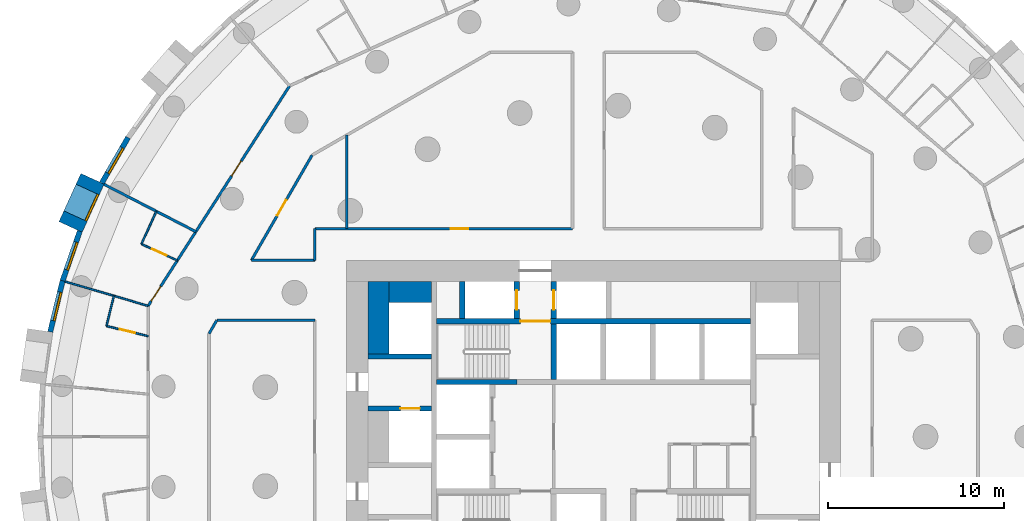
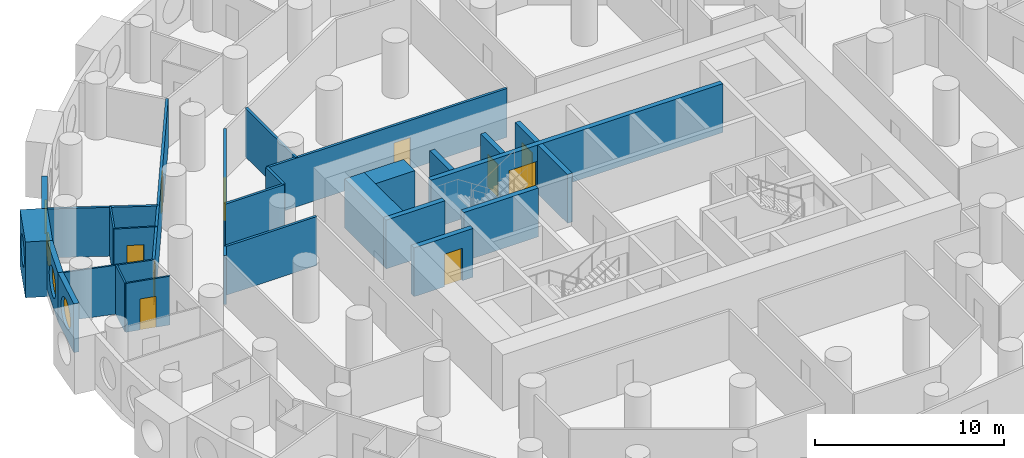
# One storey, part 7 of 12: 29 walls, 10 doors, 4 windows, 14 openings.
"""IFC4 building model written with IfcOpenShell, lengths in metres."""

from ifc_helpers import new_model, si_unit, direction, frame, frame_2d, origin, origin_2d, place, context, subcontext, project, spatial, rectangle, circle, extrude, material, layer, layer_set, type_object, element, fill, save


model = new_model("IFC4")

# Units and contexts
model_context = context("Model", 3, precision=1e-05, world=origin(), true_north=direction((0.0, 1.0)))
body_context = subcontext(model_context, "Body", "Model", "MODEL_VIEW")
ifc_project = project(units=[si_unit("LENGTHUNIT", "METRE"), si_unit("AREAUNIT", "SQUARE_METRE"), si_unit("VOLUMEUNIT", "CUBIC_METRE"), si_unit("PLANEANGLEUNIT", "RADIAN"), si_unit("MASSUNIT", "GRAM", prefix="KILO")], contexts=[model_context])

# Site, building, storey
site_placement = place(None, origin())
site = spatial("IfcSite", under=ifc_project, at=site_placement, CompositionType="ELEMENT")
building_placement = place(site_placement, origin())
building = spatial("IfcBuilding", under=site, at=building_placement, Name="Tracery Tower", CompositionType="ELEMENT")
storey_placement = place(building_placement, frame((0.0, 0.0, 107.39990234375)))
storey = spatial("IfcBuildingStorey", under=building, at=storey_placement, Name="L27", CompositionType="ELEMENT", Elevation=107.39990234375)

# Walls
ifc_material_1 = material(Name="Concrete C60/75", Category="concrete")
ifc_layer_1 = layer(ifc_material_1, 1.199951171875)
ifc_layer_set_1 = layer_set([ifc_layer_1], Name="Core strip wall 1200 C60")
wall_type_1 = type_object("IfcWallType", Name="Core strip wall 1200 C60", PredefinedType="SOLIDWALL", material=ifc_layer_set_1)
wall_1_placement = place(storey_placement, frame((-12.199951171875, 4.699951171875, 0.0), z_axis=(0.0, 0.0, 1.0), x_axis=(0.0, 1.0, 0.0)))
element("IfcWall", 1, at=wall_1_placement, inside=storey, type_object=wall_type_1, Name="L27 wing strip -1 4.55", PredefinedType="SOLIDWALL", context=body_context, shape_type="SweptSolid", body=[
    extrude(rectangle(XDim=4.10009765625, YDim=1.199951171875, at=frame_2d((2.050048828125, 0.0))), origin(), (0.0, 0.0, 1.0), 3.150146484375),
])
wall_2_placement = place(storey_placement, frame((-11.60009765625, 8.199951171875, 0.0), z_axis=(0.0, 0.0, 1.0), x_axis=(1.0, 0.0, 0.0)))
element("IfcWall", 2, at=wall_2_placement, inside=storey, type_object=wall_type_1, Name="L27 wing corner -1 +8.2", PredefinedType="SOLIDWALL", context=body_context, shape_type="SweptSolid", body=[
    extrude(rectangle(XDim=2.400146484375, YDim=1.199951171875, at=frame_2d((1.2001953125, 0.0))), origin(), (0.0, 0.0, 1.0), 3.150146484375),
])

# Wall, opening, window
ifc_material_2 = material(Name="Precast concrete C50/60", Category="concrete")
ifc_layer_2 = layer(ifc_material_2, 1.449951171875)
ifc_layer_set_2 = layer_set([ifc_layer_2], Name="Deep-set bay unit 3000 x 3600, slab edge 450")
wall_type_2 = type_object("IfcWallType", Name="Deep-set bay unit 3000 x 3600, slab edge 450", PredefinedType="ELEMENTEDWALL", material=ifc_layer_set_2)
wall_3_placement = place(storey_placement, frame((-28.40673828125, 14.6220703125, -0.449951171875), z_axis=(0.0, 0.0, 1.0), x_axis=(-0.415427028395, -0.909626508012, 0.0)))
wall_3 = element("IfcWall", 3, at=wall_3_placement, inside=storey, type_object=wall_type_2, Name="Deep-set bay unit 29 at L27", PredefinedType="ELEMENTEDWALL", context=body_context, shape_type="SweptSolid", body=[
    extrude(rectangle(XDim=3.000244140625, YDim=1.449951171875, at=frame_2d((1.5, 0.0))), origin(), (0.0, 0.0, 1.0), 3.60009765625),
])
opening_1_placement = place(wall_3_placement, frame((1.5, 0.0, 2.0)))
opening_1 = element("IfcOpeningElement", 4, at=opening_1_placement, cuts=wall_3, Name="Opening WN1", PredefinedType="OPENING", context=body_context, shape_type="SweptSolid", body=[
    extrude(circle(Radius=0.9000244140625, at=origin_2d()), frame((0.0, 0.73486328125, 0.0), z_axis=(0.0, -1.0, 0.0), x_axis=(1.0, 0.0, 0.0)), (0.0, 0.0, 1.0), 1.469970703125),
])
ifc_material_3 = material(Name="Aluminium frame with tinted double glazing", Category="aluminium")
window_type = type_object("IfcWindowType", Name="Round window 1800", PartitioningType="SINGLE_PANEL", PredefinedType="WINDOW", material=ifc_material_3)
window_1_placement = place(opening_1_placement, origin())
window_1 = element("IfcWindow", 5, at=window_1_placement, inside=storey, type_object=window_type, Name="Round window 29 at L27", OverallHeight=1.800048828125, OverallWidth=1.800048828125, PartitioningType="SINGLE_PANEL", PredefinedType="WINDOW", context=body_context, shape_type="SweptSolid", body=[
    extrude(circle(Radius=0.9000244140625, at=origin_2d()), frame((0.0, 0.69482421875, 0.0), z_axis=(0.0, -1.0, 0.0), x_axis=(1.0, 0.0, 0.0)), (0.0, 0.0, 1.0), 0.10009765625),
])
fill(opening_1, window_1)

ifc_material_4 = material(Name="Precast concrete C50/60", Category="concrete")
ifc_layer_3 = layer(ifc_material_4, 0.300048828125)
ifc_layer_set_3 = layer_set([ifc_layer_3], Name="Facade panel 3000 x 3150")
wall_type_3 = type_object("IfcWallType", Name="Facade panel 3000 x 3150", PredefinedType="SOLIDWALL", material=ifc_layer_set_3)
wall_4_placement = place(storey_placement, frame((-26.393798828125, 16.96240234375, 0.0), z_axis=(0.0, 0.0, 1.0), x_axis=(-0.500025049464, -0.866010940986, 0.0)))
wall_4 = element("IfcWall", 6, at=wall_4_placement, inside=storey, type_object=wall_type_3, Name="Facade panel 28 at L27", PredefinedType="SOLIDWALL", context=body_context, shape_type="SweptSolid", body=[
    extrude(rectangle(XDim=2.979736328125, YDim=0.300048828125, at=frame_2d((1.48974609375, 0.0))), origin(), (0.0, 0.0, 1.0), 3.150146484375),
])
opening_2_placement = place(wall_4_placement, frame((1.48974609375, 0.0, 1.5498046875)))
opening_2 = element("IfcOpeningElement", 7, at=opening_2_placement, cuts=wall_4, Name="Opening WN1", PredefinedType="OPENING", context=body_context, shape_type="SweptSolid", body=[
    extrude(circle(Radius=0.9000244140625, at=origin_2d()), frame((0.0, 0.159912109375, 0.0), z_axis=(0.0, -1.0, 0.0), x_axis=(1.0, 0.0, 0.0)), (0.0, 0.0, 1.0), 0.320068359375),
])
window_2_placement = place(opening_2_placement, origin())
window_2 = element("IfcWindow", 8, at=window_2_placement, inside=storey, type_object=window_type, Name="Round window 28 at L27", OverallHeight=1.800048828125, OverallWidth=1.800048828125, PartitioningType="SINGLE_PANEL", PredefinedType="WINDOW", context=body_context, shape_type="SweptSolid", body=[
    extrude(circle(Radius=0.9000244140625, at=origin_2d()), frame((0.0, 0.1201171875, 0.0), z_axis=(0.0, -1.0, 0.0), x_axis=(1.0, 0.0, 0.0)), (0.0, 0.0, 1.0), 0.10009765625),
])
fill(opening_2, window_2)

wall_5_placement = place(storey_placement, frame((-29.12890625, 11.655029296875, 0.0), z_axis=(0.0, 0.0, 1.0), x_axis=(-0.327071167136, -0.944999709856, 0.0)))
wall_5 = element("IfcWall", 9, at=wall_5_placement, inside=storey, type_object=wall_type_3, Name="Facade panel 30 at L27", PredefinedType="SOLIDWALL", context=body_context, shape_type="SweptSolid", body=[
    extrude(rectangle(XDim=2.979736328125, YDim=0.300048828125, at=frame_2d((1.48974609375, 0.0))), origin(), (0.0, 0.0, 1.0), 3.150146484375),
])
opening_3_placement = place(wall_5_placement, frame((1.48974609375, 0.0, 1.5498046875)))
opening_3 = element("IfcOpeningElement", 10, at=opening_3_placement, cuts=wall_5, Name="Opening WN1", PredefinedType="OPENING", context=body_context, shape_type="SweptSolid", body=[
    extrude(circle(Radius=0.9000244140625, at=origin_2d()), frame((0.0, 0.159912109375, 0.0), z_axis=(0.0, -1.0, 0.0), x_axis=(1.0, 0.0, 0.0)), (0.0, 0.0, 1.0), 0.320068359375),
])
window_3_placement = place(opening_3_placement, origin())
window_3 = element("IfcWindow", 11, at=window_3_placement, inside=storey, type_object=window_type, Name="Round window 30 at L27", OverallHeight=1.800048828125, OverallWidth=1.800048828125, PartitioningType="SINGLE_PANEL", PredefinedType="WINDOW", context=body_context, shape_type="SweptSolid", body=[
    extrude(circle(Radius=0.9000244140625, at=origin_2d()), frame((0.0, 0.1201171875, 0.0), z_axis=(0.0, -1.0, 0.0), x_axis=(1.0, 0.0, 0.0)), (0.0, 0.0, 1.0), 0.10009765625),
])
fill(opening_3, window_3)

wall_6_placement = place(storey_placement, frame((-30.103515625, 8.839111328125, 0.0), z_axis=(0.0, 0.0, 1.0), x_axis=(-0.235743081534, -0.971815414319, 0.0)))
wall_6 = element("IfcWall", 12, at=wall_6_placement, inside=storey, type_object=wall_type_3, Name="Facade panel 31 at L27", PredefinedType="SOLIDWALL", context=body_context, shape_type="SweptSolid", body=[
    extrude(rectangle(XDim=2.9794921875, YDim=0.300048828125, at=frame_2d((1.48974609375, 0.0))), origin(), (0.0, 0.0, 1.0), 3.150146484375),
])
opening_4_placement = place(wall_6_placement, frame((1.48974609375, 0.0, 1.5498046875)))
opening_4 = element("IfcOpeningElement", 13, at=opening_4_placement, cuts=wall_6, Name="Opening WN1", PredefinedType="OPENING", context=body_context, shape_type="SweptSolid", body=[
    extrude(circle(Radius=0.9000244140625, at=origin_2d()), frame((0.0, 0.159912109375, 0.0), z_axis=(0.0, -1.0, 0.0), x_axis=(1.0, 0.0, 0.0)), (0.0, 0.0, 1.0), 0.320068359375),
])
window_4_placement = place(opening_4_placement, origin())
window_4 = element("IfcWindow", 14, at=window_4_placement, inside=storey, type_object=window_type, Name="Round window 31 at L27", OverallHeight=1.800048828125, OverallWidth=1.800048828125, PartitioningType="SINGLE_PANEL", PredefinedType="WINDOW", context=body_context, shape_type="SweptSolid", body=[
    extrude(circle(Radius=0.9000244140625, at=origin_2d()), frame((0.0, 0.1201171875, 0.0), z_axis=(0.0, -1.0, 0.0), x_axis=(1.0, 0.0, 0.0)), (0.0, 0.0, 1.0), 0.10009765625),
])
fill(opening_4, window_4)

# Walls
ifc_material_5 = material(Name="Plasterboard on steel studs", Category="steel")
ifc_layer_4 = layer(ifc_material_5, 0.10009765625)
ifc_layer_set_4 = layer_set([ifc_layer_4], Name="Partition 100 stud")
wall_type_4 = type_object("IfcWallType", Name="Partition 100 stud", PredefinedType="PARTITIONING", material=ifc_layer_set_4)
wall_7_placement = place(storey_placement, frame((-29.958984375, 8.797119140625, 0.0), z_axis=(0.0, 0.0, 1.0), x_axis=(0.959434394536, -0.281931982189, 0.0)))
element("IfcWall", 15, at=wall_7_placement, inside=storey, type_object=wall_type_4, Name="Stud partition RA8-098", PredefinedType="PARTITIONING", context=body_context, shape_type="SweptSolid", body=[
    extrude(rectangle(XDim=2.876708984375, YDim=0.10009765625, at=frame_2d((1.4384765625, 0.0))), origin(), (0.0, 0.0, 1.0), 3.150146484375),
])
ifc_material_6 = material(Name="Plasterboard on steel studs", Category="steel")
ifc_layer_5 = layer(ifc_material_6, 0.10009765625)
ifc_layer_set_5 = layer_set([ifc_layer_5], Name="Partition 100 wet wall")
wall_type_5 = type_object("IfcWallType", Name="Partition 100 wet wall", PredefinedType="PARTITIONING", material=ifc_layer_set_5)
wall_8_placement = place(storey_placement, frame((-27.614990234375, 6.27294921875, 0.0), z_axis=(0.0, 0.0, 1.0), x_axis=(0.23598051436, 0.971757787127, 0.0)))
element("IfcWall", 16, at=wall_8_placement, inside=storey, type_object=wall_type_5, Name="Wet wall RA8-096", PredefinedType="PARTITIONING", context=body_context, shape_type="SweptSolid", body=[
    extrude(rectangle(XDim=1.762939453125, YDim=0.10009765625, at=frame_2d((0.88134765625, 0.0))), origin(), (0.0, 0.0, 1.0), 3.150146484375),
])

# Wall, opening, door
wall_9_placement = place(storey_placement, frame((-27.614990234375, 6.27294921875, 0.0), z_axis=(0.0, 0.0, 1.0), x_axis=(0.971814550876, -0.235746640921, 0.0)))
wall_9 = element("IfcWall", 17, at=wall_9_placement, inside=storey, type_object=wall_type_5, Name="Wet wall RA8-097", PredefinedType="PARTITIONING", context=body_context, shape_type="SweptSolid", body=[
    extrude(rectangle(XDim=2.4306640625, YDim=0.10009765625, at=frame_2d((1.21533203125, 0.0))), origin(), (0.0, 0.0, 1.0), 3.150146484375),
])
opening_5_placement = place(wall_9_placement, frame((0.764892578125, 0.0, 0.0)))
opening_5 = element("IfcOpeningElement", 18, at=opening_5_placement, cuts=wall_9, Name="Opening RA8-35", PredefinedType="OPENING", context=body_context, shape_type="SweptSolid", body=[
    extrude(rectangle(XDim=0.89990234375, YDim=2.0, at=frame_2d((0.449951171875, 1.0))), frame((0.0, 0.050048828125, 0.0), z_axis=(0.0, -1.0, 0.0), x_axis=(1.0, 0.0, 0.0)), (0.0, 0.0, 1.0), 0.10009765625),
])
ifc_material_7 = material(Name="Timber door leaf", Category="wood")
door_type_1 = type_object("IfcDoorType", Name="Door shower room 900", OperationType="NOTDEFINED", PredefinedType="DOOR", material=ifc_material_7)
door_1_placement = place(opening_5_placement, origin())
door_1 = element("IfcDoor", 19, at=door_1_placement, inside=storey, type_object=door_type_1, Name="Shower room door RA8-35", OperationType="SINGLE_SWING_LEFT", OverallHeight=2.0, OverallWidth=0.89990234375, PredefinedType="DOOR", context=body_context, shape_type="SweptSolid", body=[
    extrude(rectangle(XDim=0.89990234375, YDim=2.0, at=frame_2d((0.449951171875, 1.0))), frame((0.0, 0.02490234375, 0.0), z_axis=(0.0, -1.0, 0.0), x_axis=(1.0, 0.0, 0.0)), (0.0, 0.0, 1.0), 0.050048828125),
])
fill(opening_5, door_1)

# Walls
wall_10_placement = place(storey_placement, frame((-27.198974609375, 7.986083984375, 0.0), z_axis=(0.0, 0.0, 1.0), x_axis=(0.959541665722, -0.281566673708, 0.0)))
element("IfcWall", 20, at=wall_10_placement, inside=storey, type_object=wall_type_5, Name="Wet wall RA8-100", PredefinedType="PARTITIONING", context=body_context, shape_type="SweptSolid", body=[
    extrude(rectangle(XDim=2.028076171875, YDim=0.10009765625, at=frame_2d((1.01416015625, 0.0))), origin(), (0.0, 0.0, 1.0), 3.150146484375),
])
wall_11_placement = place(storey_placement, frame((-25.635986328125, 10.922119140625, 0.0), z_axis=(0.0, 0.0, 1.0), x_axis=(0.415361197493, 0.90965657015, 0.0)))
element("IfcWall", 21, at=wall_11_placement, inside=storey, type_object=wall_type_5, Name="Wet wall RA8-101", PredefinedType="PARTITIONING", context=body_context, shape_type="SweptSolid", body=[
    extrude(rectangle(XDim=2.041259765625, YDim=0.10009765625, at=frame_2d((1.0205078125, 0.0))), origin(), (0.0, 0.0, 1.0), 3.150146484375),
])

# Wall, opening, door
wall_12_placement = place(storey_placement, frame((-25.635986328125, 10.922119140625, 0.0), z_axis=(0.0, 0.0, 1.0), x_axis=(0.909641485443, -0.415394231978, 0.0)))
wall_12 = element("IfcWall", 22, at=wall_12_placement, inside=storey, type_object=wall_type_5, Name="Wet wall RA8-102", PredefinedType="PARTITIONING", context=body_context, shape_type="SweptSolid", body=[
    extrude(rectangle(XDim=2.24169921875, YDim=0.10009765625, at=frame_2d((1.120849609375, 0.0))), origin(), (0.0, 0.0, 1.0), 3.150146484375),
])
opening_6_placement = place(wall_12_placement, frame((0.6708984375, 0.0, 0.0)))
opening_6 = element("IfcOpeningElement", 23, at=opening_6_placement, cuts=wall_12, Name="Opening RA8-37", PredefinedType="OPENING", context=body_context, shape_type="SweptSolid", body=[
    extrude(rectangle(XDim=0.89990234375, YDim=2.0400390625, at=frame_2d((0.449951171875, 1.02001953125))), frame((0.0, 0.050048828125, 0.0), z_axis=(0.0, -1.0, 0.0), x_axis=(1.0, 0.0, 0.0)), (0.0, 0.0, 1.0), 0.10009765625),
])
ifc_material_8 = material(Name="Timber door leaf", Category="wood")
door_type_2 = type_object("IfcDoorType", Name="Door en-suite 900", OperationType="NOTDEFINED", PredefinedType="DOOR", material=ifc_material_8)
door_2_placement = place(opening_6_placement, origin())
door_2 = element("IfcDoor", 24, at=door_2_placement, inside=storey, type_object=door_type_2, Name="En-suite door RA8-37", OperationType="SINGLE_SWING_RIGHT", OverallHeight=2.0400390625, OverallWidth=0.89990234375, PredefinedType="DOOR", context=body_context, shape_type="SweptSolid", body=[
    extrude(rectangle(XDim=0.89990234375, YDim=2.0400390625, at=frame_2d((0.449951171875, 1.02001953125))), frame((0.0, 0.02490234375, 0.0), z_axis=(0.0, -1.0, 0.0), x_axis=(1.0, 0.0, 0.0)), (0.0, 0.0, 1.0), 0.050048828125),
])
fill(opening_6, door_2)

# Walls
ifc_material_9 = material(Name="Plasterboard on steel studs", Category="steel")
ifc_layer_6 = layer(ifc_material_9, 0.14990234375)
ifc_layer_set_6 = layer_set([ifc_layer_6], Name="Partition 150 acoustic unit wall")
wall_type_6 = type_object("IfcWallType", Name="Partition 150 acoustic unit wall", PredefinedType="PARTITIONING", material=ifc_layer_set_6)
wall_13_placement = place(storey_placement, frame((-14.0, 11.800048828125, 0.0), z_axis=(0.0, 0.0, 1.0), x_axis=(0.0, 1.0, 0.0)))
element("IfcWall", 25, at=wall_13_placement, inside=storey, type_object=wall_type_6, Name="Unit wall RA8-059", PredefinedType="PARTITIONING", context=body_context, shape_type="SweptSolid", body=[
    extrude(rectangle(XDim=5.2919921875, YDim=0.14990234375, at=frame_2d((2.64599609375, 0.0))), origin(), (0.0, 0.0, 1.0), 3.150146484375),
])
wall_14_placement = place(storey_placement, frame((-27.7529296875, 14.30810546875, 0.0), z_axis=(0.0, 0.0, 1.0), x_axis=(0.88877955153, -0.45833493079, 0.0)))
element("IfcWall", 26, at=wall_14_placement, inside=storey, type_object=wall_type_6, Name="Unit wall RA8-094", PredefinedType="PARTITIONING", context=body_context, shape_type="SweptSolid", body=[
    extrude(rectangle(XDim=5.856201171875, YDim=0.14990234375, at=frame_2d((2.92822265625, 0.0))), origin(), (0.0, 0.0, 1.0), 3.150146484375),
])

# Wall, opening, door
ifc_material_10 = material(Name="Plasterboard on steel studs", Category="steel")
ifc_layer_7 = layer(ifc_material_10, 0.14990234375)
ifc_layer_set_7 = layer_set([ifc_layer_7], Name="Partition 150 corridor wall")
wall_type_7 = type_object("IfcWallType", Name="Partition 150 corridor wall", PredefinedType="PARTITIONING", material=ifc_layer_set_7)
wall_15_placement = place(storey_placement, frame((-15.800048828125, 11.800048828125, 0.0), z_axis=(0.0, 0.0, 1.0), x_axis=(1.0, 0.0, 0.0)))
wall_15 = element("IfcWall", 27, at=wall_15_placement, inside=storey, type_object=wall_type_7, Name="Corridor wall RA8-001", PredefinedType="PARTITIONING", context=body_context, shape_type="SweptSolid", body=[
    extrude(rectangle(XDim=14.612060546875, YDim=0.14990234375, at=frame_2d((7.30615234375, 0.0))), origin(), (0.0, 0.0, 1.0), 3.150146484375),
])
opening_7_placement = place(wall_15_placement, frame((7.7041015625, 0.0, 0.0)))
opening_7 = element("IfcOpeningElement", 28, at=opening_7_placement, cuts=wall_15, Name="Opening RA8-01", PredefinedType="OPENING", context=body_context, shape_type="SweptSolid", body=[
    extrude(rectangle(XDim=1.0, YDim=2.0400390625, at=frame_2d((0.5, 1.02001953125))), frame((0.0, 0.074951171875, 0.0), z_axis=(0.0, -1.0, 0.0), x_axis=(1.0, 0.0, 0.0)), (0.0, 0.0, 1.0), 0.14990234375),
])
ifc_material_11 = material(Name="Timber door leaf", Category="wood")
door_type_3 = type_object("IfcDoorType", Name="Door communal room 1000", OperationType="NOTDEFINED", PredefinedType="DOOR", material=ifc_material_11)
door_3_placement = place(opening_7_placement, origin())
door_3 = element("IfcDoor", 29, at=door_3_placement, inside=storey, type_object=door_type_3, Name="Communal room door RA8-01", OperationType="SINGLE_SWING_RIGHT", OverallHeight=2.0400390625, OverallWidth=1.0, PredefinedType="DOOR", context=body_context, shape_type="SweptSolid", body=[
    extrude(rectangle(XDim=1.0, YDim=2.0400390625, at=frame_2d((0.5, 1.02001953125))), frame((0.0, 0.02490234375, 0.0), z_axis=(0.0, -1.0, 0.0), x_axis=(1.0, 0.0, 0.0)), (0.0, 0.0, 1.0), 0.050048828125),
])
fill(opening_7, door_3)

# Wall
wall_16_placement = place(storey_placement, frame((-15.800048828125, 10.0, 0.0), z_axis=(0.0, 0.0, 1.0), x_axis=(0.0, 1.0, 0.0)))
element("IfcWall", 30, at=wall_16_placement, inside=storey, type_object=wall_type_7, Name="Corridor wall RA8-005", PredefinedType="PARTITIONING", context=body_context, shape_type="SweptSolid", body=[
    extrude(rectangle(XDim=1.800048828125, YDim=0.14990234375, at=frame_2d((0.89990234375, 0.0))), origin(), (0.0, 0.0, 1.0), 3.150146484375),
])

# Wall, openings, doors
wall_17_placement = place(storey_placement, frame((-25.2548828125, 7.416259765625, 0.0), z_axis=(0.0, 0.0, 1.0), x_axis=(0.540805851332, 0.841147449123, 0.0)))
wall_17 = element("IfcWall", 31, at=wall_17_placement, inside=storey, type_object=wall_type_7, Name="Corridor wall RA8-036", PredefinedType="PARTITIONING", context=body_context, shape_type="SweptSolid", body=[
    extrude(rectangle(XDim=14.829345703125, YDim=0.14990234375, at=frame_2d((7.41455078125, 0.0))), origin(), (0.0, 0.0, 1.0), 3.150146484375),
])
opening_8_placement = place(wall_17_placement, frame((8.75390625, 0.0, 0.0)))
opening_8 = element("IfcOpeningElement", 32, at=opening_8_placement, cuts=wall_17, Name="Opening RA8-32", PredefinedType="OPENING", context=body_context, shape_type="SweptSolid", body=[
    extrude(rectangle(XDim=1.0, YDim=2.0400390625, at=frame_2d((0.5, 1.02001953125))), frame((0.0, 0.074951171875, 0.0), z_axis=(0.0, -1.0, 0.0), x_axis=(1.0, 0.0, 0.0)), (0.0, 0.0, 1.0), 0.14990234375),
])
opening_9_placement = place(wall_17_placement, frame((0.31591796875, 0.0, 0.0)))
opening_9 = element("IfcOpeningElement", 33, at=opening_9_placement, cuts=wall_17, Name="Opening RA8-36", PredefinedType="OPENING", context=body_context, shape_type="SweptSolid", body=[
    extrude(rectangle(XDim=1.0, YDim=2.10009765625, at=frame_2d((0.5, 1.050048828125))), frame((0.0, 0.074951171875, 0.0), z_axis=(0.0, -1.0, 0.0), x_axis=(1.0, 0.0, 0.0)), (0.0, 0.0, 1.0), 0.14990234375),
])
door_4_placement = place(opening_8_placement, origin())
door_4 = element("IfcDoor", 34, at=door_4_placement, inside=storey, type_object=door_type_3, Name="Communal room door RA8-32", OperationType="SINGLE_SWING_RIGHT", OverallHeight=2.0400390625, OverallWidth=1.0, PredefinedType="DOOR", context=body_context, shape_type="SweptSolid", body=[
    extrude(rectangle(XDim=1.0, YDim=2.0400390625, at=frame_2d((0.5, 1.02001953125))), frame((0.0, 0.02490234375, 0.0), z_axis=(0.0, -1.0, 0.0), x_axis=(1.0, 0.0, 0.0)), (0.0, 0.0, 1.0), 0.050048828125),
])
fill(opening_8, door_4)
ifc_material_12 = material(Name="Timber door leaf", Category="wood")
door_type_4 = type_object("IfcDoorType", Name="Door unit entrance 1000", OperationType="NOTDEFINED", PredefinedType="DOOR", material=ifc_material_12)
door_5_placement = place(opening_9_placement, origin())
door_5 = element("IfcDoor", 35, at=door_5_placement, inside=storey, type_object=door_type_4, Name="Unit entrance door RA8-36", OperationType="SINGLE_SWING_LEFT", OverallHeight=2.10009765625, OverallWidth=1.0, PredefinedType="DOOR", context=body_context, shape_type="SweptSolid", body=[
    extrude(rectangle(XDim=1.0, YDim=2.10009765625, at=frame_2d((0.5, 1.050048828125))), frame((0.0, 0.02490234375, 0.0), z_axis=(0.0, -1.0, 0.0), x_axis=(1.0, 0.0, 0.0)), (0.0, 0.0, 1.0), 0.050048828125),
])
fill(opening_9, door_5)

# Walls
wall_18_placement = place(storey_placement, frame((-21.364013671875, 6.60009765625, 0.0), z_axis=(0.0, 0.0, 1.0), x_axis=(1.0, 0.0, 0.0)))
element("IfcWall", 36, at=wall_18_placement, inside=storey, type_object=wall_type_7, Name="Corridor wall RA8-038", PredefinedType="PARTITIONING", context=body_context, shape_type="SweptSolid", body=[
    extrude(rectangle(XDim=5.56396484375, YDim=0.14990234375, at=frame_2d((2.781982421875, 0.0))), origin(), (0.0, 0.0, 1.0), 3.150146484375),
])
wall_19_placement = place(storey_placement, frame((-21.802001953125, 5.842041015625, 0.0), z_axis=(0.0, 0.0, 1.0), x_axis=(0.500277597875, 0.865865073245, 0.0)))
element("IfcWall", 37, at=wall_19_placement, inside=storey, type_object=wall_type_7, Name="Corridor wall RA8-039", PredefinedType="PARTITIONING", context=body_context, shape_type="SweptSolid", body=[
    extrude(rectangle(XDim=0.87548828125, YDim=0.14990234375, at=frame_2d((0.437744140625, 0.0))), origin(), (0.0, 0.0, 1.0), 3.150146484375),
])

# Wall, opening, door
wall_20_placement = place(storey_placement, frame((-19.40087890625, 10.0, 0.0), z_axis=(0.0, 0.0, 1.0), x_axis=(0.499992689227, 0.86602962462, 0.0)))
wall_20 = element("IfcWall", 38, at=wall_20_placement, inside=storey, type_object=wall_type_7, Name="Corridor wall RA8-043", PredefinedType="PARTITIONING", context=body_context, shape_type="SweptSolid", body=[
    extrude(rectangle(XDim=6.8818359375, YDim=0.14990234375, at=frame_2d((3.44091796875, 0.0))), origin(), (0.0, 0.0, 1.0), 3.150146484375),
])
opening_10_placement = place(wall_20_placement, frame((2.94091796875, 0.0, 0.0)))
opening_10 = element("IfcOpeningElement", 39, at=opening_10_placement, cuts=wall_20, Name="Opening RA8-09", PredefinedType="OPENING", context=body_context, shape_type="SweptSolid", body=[
    extrude(rectangle(XDim=1.0, YDim=2.0400390625, at=frame_2d((0.5, 1.02001953125))), frame((0.0, 0.074951171875, 0.0), z_axis=(0.0, -1.0, 0.0), x_axis=(1.0, 0.0, 0.0)), (0.0, 0.0, 1.0), 0.14990234375),
])
door_6_placement = place(opening_10_placement, origin())
door_6 = element("IfcDoor", 40, at=door_6_placement, inside=storey, type_object=door_type_3, Name="Communal room door RA8-09", OperationType="SINGLE_SWING_LEFT", OverallHeight=2.0400390625, OverallWidth=1.0, PredefinedType="DOOR", context=body_context, shape_type="SweptSolid", body=[
    extrude(rectangle(XDim=1.0, YDim=2.0400390625, at=frame_2d((0.5, 1.02001953125))), frame((0.0, 0.02490234375, 0.0), z_axis=(0.0, -1.0, 0.0), x_axis=(1.0, 0.0, 0.0)), (0.0, 0.0, 1.0), 0.050048828125),
])
fill(opening_10, door_6)

# Walls
wall_21_placement = place(storey_placement, frame((-19.40087890625, 10.0, 0.0), z_axis=(0.0, 0.0, 1.0), x_axis=(1.0, 0.0, 0.0)))
element("IfcWall", 41, at=wall_21_placement, inside=storey, type_object=wall_type_7, Name="Corridor wall RA8-044", PredefinedType="PARTITIONING", context=body_context, shape_type="SweptSolid", body=[
    extrude(rectangle(XDim=3.600830078125, YDim=0.14990234375, at=frame_2d((1.80029296875, 0.0))), origin(), (0.0, 0.0, 1.0), 3.150146484375),
])
ifc_material_13 = material(Name="Concrete C60/75", Category="concrete")
ifc_layer_8 = layer(ifc_material_13, 0.300048828125)
ifc_layer_set_8 = layer_set([ifc_layer_8], Name="Shaft wall 300 C60")
wall_type_8 = type_object("IfcWallType", Name="Shaft wall 300 C60", PredefinedType="SOLIDWALL", material=ifc_layer_set_8)
wall_22_placement = place(storey_placement, frame((-7.449951171875, 6.699951171875, 0.0), z_axis=(0.0, 0.0, 1.0), x_axis=(0.0, 1.0, 0.0)))
element("IfcWall", 42, at=wall_22_placement, inside=storey, type_object=wall_type_8, Name="L27 LR sep -7.45", PredefinedType="SOLIDWALL", context=body_context, shape_type="SweptSolid", body=[
    extrude(rectangle(XDim=2.10009765625, YDim=0.300048828125, at=frame_2d((1.050048828125, 0.0))), origin(), (0.0, 0.0, 1.0), 3.150146484375),
])

# Wall, opening, door
wall_23_placement = place(storey_placement, frame((-4.35009765625, 6.699951171875, 0.0), z_axis=(0.0, 0.0, 1.0), x_axis=(0.0, 1.0, 0.0)))
wall_23 = element("IfcWall", 43, at=wall_23_placement, inside=storey, type_object=wall_type_8, Name="L27 LR sep -4.35", PredefinedType="SOLIDWALL", context=body_context, shape_type="SweptSolid", body=[
    extrude(rectangle(XDim=2.10009765625, YDim=0.300048828125, at=frame_2d((1.050048828125, 0.0))), origin(), (0.0, 0.0, 1.0), 3.150146484375),
])
opening_11_placement = place(wall_23_placement, frame((0.5, 0.0, 0.0)))
opening_11 = element("IfcOpeningElement", 44, at=opening_11_placement, cuts=wall_23, Name="Opening KD50", PredefinedType="OPENING", context=body_context, shape_type="SweptSolid", body=[
    extrude(rectangle(XDim=1.10009765625, YDim=2.10009765625, at=frame_2d((0.550048828125, 1.050048828125))), frame((0.0, 0.14990234375, 0.0), z_axis=(0.0, -1.0, 0.0), x_axis=(1.0, 0.0, 0.0)), (0.0, 0.0, 1.0), 0.300048828125),
])
ifc_material_14 = material(Name="Steel fire door", Category="steel")
door_type_5 = type_object("IfcDoorType", Name="Landing door 1100", OperationType="NOTDEFINED", PredefinedType="DOOR", material=ifc_material_14)
door_7_placement = place(opening_11_placement, origin())
door_7 = element("IfcDoor", 45, at=door_7_placement, inside=storey, type_object=door_type_5, Name="Landing door LR3", OperationType="SLIDING_TO_RIGHT", OverallHeight=2.10009765625, OverallWidth=1.10009765625, PredefinedType="DOOR", context=body_context, shape_type="SweptSolid", body=[
    extrude(rectangle(XDim=1.10009765625, YDim=2.10009765625, at=frame_2d((0.550048828125, 1.050048828125))), frame((0.0, 0.02490234375, 0.0), z_axis=(0.0, -1.0, 0.0), x_axis=(1.0, 0.0, 0.0)), (0.0, 0.0, 1.0), 0.050048828125),
])
fill(opening_11, door_7)

# Wall
wall_24_placement = place(storey_placement, frame((-12.800048828125, 4.550048828125, 0.0), z_axis=(0.0, 0.0, 1.0), x_axis=(1.0, 0.0, 0.0)))
element("IfcWall", 46, at=wall_24_placement, inside=storey, type_object=wall_type_8, Name="L27 wing shaft wall -1 +4.55", PredefinedType="SOLIDWALL", context=body_context, shape_type="SweptSolid", body=[
    extrude(rectangle(XDim=3.60009765625, YDim=0.300048828125, at=frame_2d((1.800048828125, 0.0))), origin(), (0.0, 0.0, 1.0), 3.150146484375),
])

# Wall, opening, door
wall_25_placement = place(storey_placement, frame((-12.800048828125, 1.60009765625, 0.0), z_axis=(0.0, 0.0, 1.0), x_axis=(1.0, 0.0, 0.0)))
wall_25 = element("IfcWall", 47, at=wall_25_placement, inside=storey, type_object=wall_type_8, Name="L27 wing shaft wall -1 +1.60", PredefinedType="SOLIDWALL", context=body_context, shape_type="SweptSolid", body=[
    extrude(rectangle(XDim=3.60009765625, YDim=0.300048828125, at=frame_2d((1.800048828125, 0.0))), origin(), (0.0, 0.0, 1.0), 3.150146484375),
])
opening_12_placement = place(wall_25_placement, frame((1.85009765625, 0.0, 0.0)))
opening_12 = element("IfcOpeningElement", 48, at=opening_12_placement, cuts=wall_25, Name="Opening KD50", PredefinedType="OPENING", context=body_context, shape_type="SweptSolid", body=[
    extrude(rectangle(XDim=1.10009765625, YDim=2.10009765625, at=frame_2d((0.550048828125, 1.050048828125))), frame((0.0, 0.14990234375, 0.0), z_axis=(0.0, -1.0, 0.0), x_axis=(1.0, 0.0, 0.0)), (0.0, 0.0, 1.0), 0.300048828125),
])
door_8_placement = place(opening_12_placement, origin())
door_8 = element("IfcDoor", 49, at=door_8_placement, inside=storey, type_object=door_type_5, Name="Landing door LR1", OperationType="SLIDING_TO_RIGHT", OverallHeight=2.10009765625, OverallWidth=1.10009765625, PredefinedType="DOOR", context=body_context, shape_type="SweptSolid", body=[
    extrude(rectangle(XDim=1.10009765625, YDim=2.10009765625, at=frame_2d((0.550048828125, 1.050048828125))), frame((0.0, 0.02490234375, 0.0), z_axis=(0.0, -1.0, 0.0), x_axis=(1.0, 0.0, 0.0)), (0.0, 0.0, 1.0), 0.050048828125),
])
fill(opening_12, door_8)

# Walls
ifc_material_15 = material(Name="Concrete C60/75", Category="concrete")
ifc_layer_9 = layer(ifc_material_15, 0.300048828125)
ifc_layer_set_9 = layer_set([ifc_layer_9], Name="Stair wall 300 C60")
wall_type_9 = type_object("IfcWallType", Name="Stair wall 300 C60", PredefinedType="SOLIDWALL", material=ifc_layer_set_9)
wall_26_placement = place(storey_placement, frame((-8.89990234375, 3.10009765625, 0.0), z_axis=(0.0, 0.0, 1.0), x_axis=(1.0, 0.0, 0.0)))
element("IfcWall", 50, at=wall_26_placement, inside=storey, type_object=wall_type_9, Name="L27 row N W", PredefinedType="SOLIDWALL", context=body_context, shape_type="SweptSolid", body=[
    extrude(rectangle(XDim=4.5498046875, YDim=0.300048828125, at=frame_2d((2.27490234375, 0.0))), origin(), (0.0, 0.0, 1.0), 3.150146484375),
])
wall_27_placement = place(storey_placement, frame((-2.25, 3.25, 0.0), z_axis=(0.0, 0.0, 1.0), x_axis=(0.0, 1.0, 0.0)))
element("IfcWall", 51, at=wall_27_placement, inside=storey, type_object=wall_type_9, Name="L27 ST3 E", PredefinedType="SOLIDWALL", context=body_context, shape_type="SweptSolid", body=[
    extrude(rectangle(XDim=3.14990234375, YDim=0.300048828125, at=frame_2d((1.574951171875, 0.0))), origin(), (0.0, 0.0, 1.0), 3.150146484375),
])

# Wall, opening, door
wall_28_placement = place(storey_placement, frame((-8.89990234375, 6.550048828125, 0.0), z_axis=(0.0, 0.0, 1.0), x_axis=(1.0, 0.0, 0.0)))
wall_28 = element("IfcWall", 52, at=wall_28_placement, inside=storey, type_object=wall_type_9, Name="L27 F N", PredefinedType="SOLIDWALL", context=body_context, shape_type="SweptSolid", body=[
    extrude(rectangle(XDim=17.7998046875, YDim=0.300048828125, at=frame_2d((8.89990234375, 0.0))), origin(), (0.0, 0.0, 1.0), 3.150146484375),
])
opening_13_placement = place(wall_28_placement, frame((4.75, 0.0, 0.0)))
opening_13 = element("IfcOpeningElement", 53, at=opening_13_placement, cuts=wall_28, Name="Opening KD3", PredefinedType="OPENING", context=body_context, shape_type="SweptSolid", body=[
    extrude(rectangle(XDim=1.699951171875, YDim=2.10009765625, at=frame_2d((0.85009765625, 1.050048828125))), frame((0.0, 0.14990234375, 0.0), z_axis=(0.0, -1.0, 0.0), x_axis=(1.0, 0.0, 0.0)), (0.0, 0.0, 1.0), 0.300048828125),
])
ifc_material_16 = material(Name="Steel fire door", Category="steel")
door_type_6 = type_object("IfcDoorType", Name="Core stair door 1700 double", OperationType="NOTDEFINED", PredefinedType="DOOR", material=ifc_material_16)
door_9_placement = place(opening_13_placement, origin())
door_9 = element("IfcDoor", 54, at=door_9_placement, inside=storey, type_object=door_type_6, Name="Stair door ST3 N", OperationType="DOUBLE_DOOR_SINGLE_SWING", OverallHeight=2.10009765625, OverallWidth=1.699951171875, PredefinedType="DOOR", context=body_context, shape_type="SweptSolid", body=[
    extrude(rectangle(XDim=1.699951171875, YDim=2.10009765625, at=frame_2d((0.85009765625, 1.050048828125))), frame((0.0, 0.02490234375, 0.0), z_axis=(0.0, -1.0, 0.0), x_axis=(1.0, 0.0, 0.0)), (0.0, 0.0, 1.0), 0.050048828125),
])
fill(opening_13, door_9)

wall_29_placement = place(storey_placement, frame((-2.25, 6.699951171875, 0.0), z_axis=(0.0, 0.0, 1.0), x_axis=(0.0, 1.0, 0.0)))
wall_29 = element("IfcWall", 55, at=wall_29_placement, inside=storey, type_object=wall_type_9, Name="L27 ST3 E out", PredefinedType="SOLIDWALL", context=body_context, shape_type="SweptSolid", body=[
    extrude(rectangle(XDim=2.10009765625, YDim=0.300048828125, at=frame_2d((1.050048828125, 0.0))), origin(), (0.0, 0.0, 1.0), 3.150146484375),
])
opening_14_placement = place(wall_29_placement, frame((0.5, 0.0, 0.0)))
opening_14 = element("IfcOpeningElement", 56, at=opening_14_placement, cuts=wall_29, Name="Opening KD49", PredefinedType="OPENING", context=body_context, shape_type="SweptSolid", body=[
    extrude(rectangle(XDim=1.10009765625, YDim=2.10009765625, at=frame_2d((0.550048828125, 1.050048828125))), frame((0.0, 0.14990234375, 0.0), z_axis=(0.0, -1.0, 0.0), x_axis=(1.0, 0.0, 0.0)), (0.0, 0.0, 1.0), 0.300048828125),
])
door_10_placement = place(opening_14_placement, origin())
door_10 = element("IfcDoor", 57, at=door_10_placement, inside=storey, type_object=door_type_5, Name="Landing door LR2", OperationType="SLIDING_TO_LEFT", OverallHeight=2.10009765625, OverallWidth=1.10009765625, PredefinedType="DOOR", context=body_context, shape_type="SweptSolid", body=[
    extrude(rectangle(XDim=1.10009765625, YDim=2.10009765625, at=frame_2d((0.550048828125, 1.050048828125))), frame((0.0, 0.02490234375, 0.0), z_axis=(0.0, -1.0, 0.0), x_axis=(1.0, 0.0, 0.0)), (0.0, 0.0, 1.0), 0.050048828125),
])
fill(opening_14, door_10)

save(model, "model.ifc")
